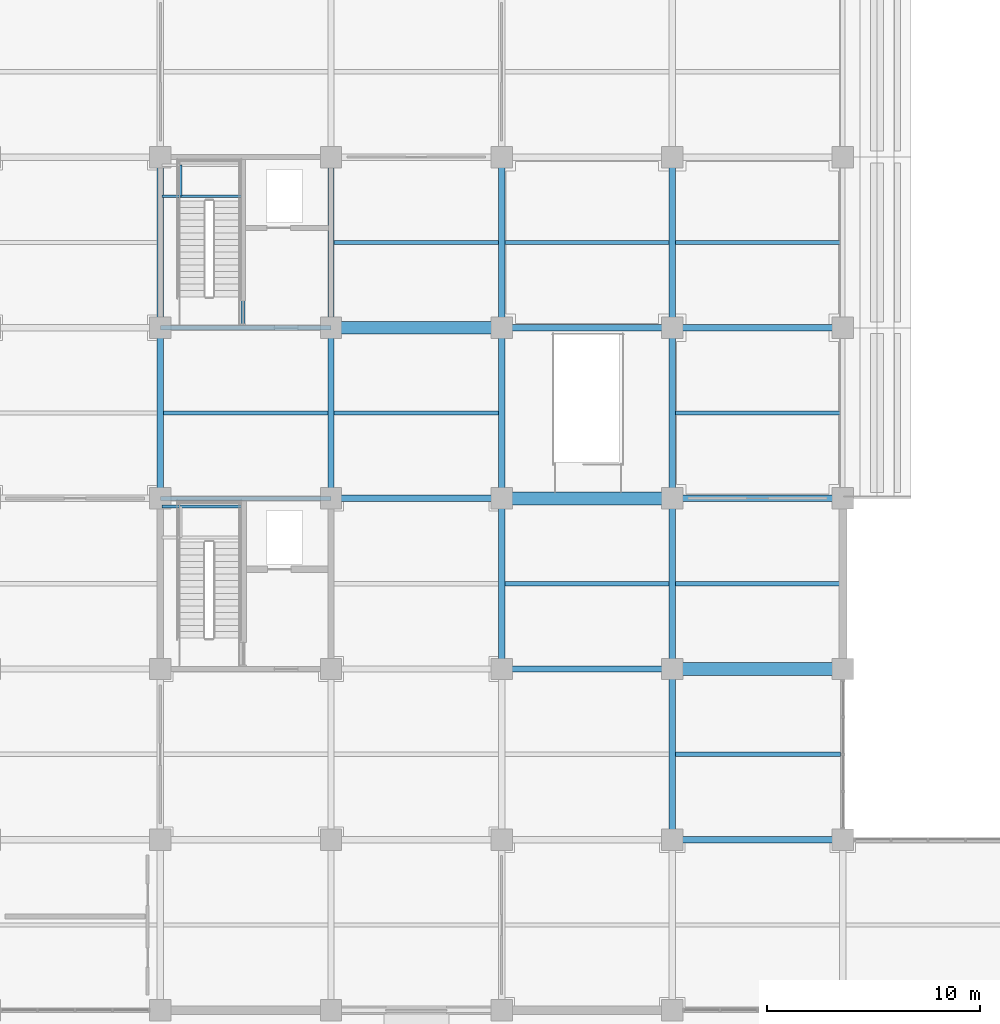
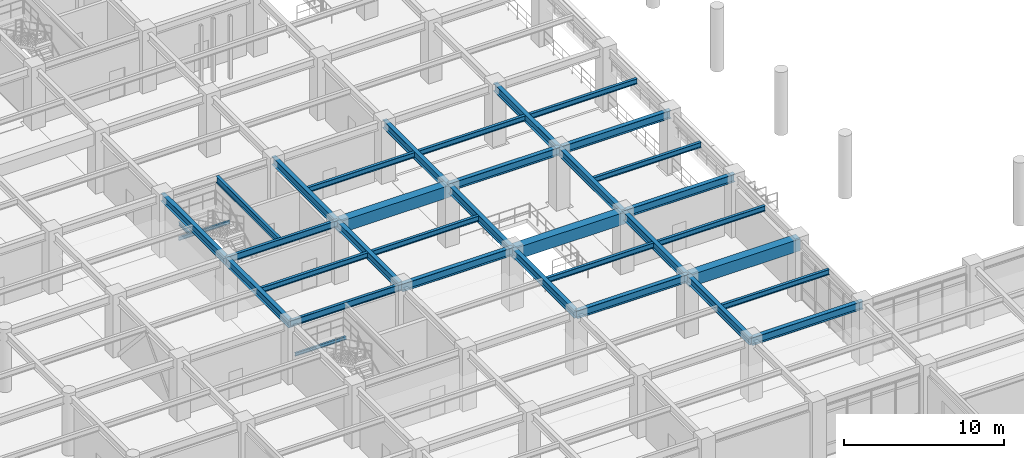
# One storey, part 12 of 117: 35 beams.
"""IFC4 building model written with IfcOpenShell, lengths in metres."""

from ifc_helpers import new_model, si_unit, direction, frame, origin, origin_2d, place, context, subcontext, project, spatial, rectangle, i_section, extrude, material, material_profile, profile_set, type_object, element, save


model = new_model("IFC4")

# Units and contexts
model_context = context("Model", 3, precision=1e-05, world=origin(), true_north=direction((0.0, 1.0)))
body_context = subcontext(model_context, "Body", "Model", "MODEL_VIEW")
ifc_project = project(units=[si_unit("LENGTHUNIT", "METRE"), si_unit("AREAUNIT", "SQUARE_METRE"), si_unit("VOLUMEUNIT", "CUBIC_METRE"), si_unit("PLANEANGLEUNIT", "RADIAN"), si_unit("MASSUNIT", "GRAM", prefix="KILO")], contexts=[model_context])

# Site, building, storey
site_placement = place(None, origin())
site = spatial("IfcSite", under=ifc_project, at=site_placement, CompositionType="ELEMENT")
building_placement = place(site_placement, origin())
building = spatial("IfcBuilding", under=site, at=building_placement, Name="Haebicheon Civic Stadium", CompositionType="ELEMENT")
storey_placement = place(building_placement, frame((0.0, 0.0, 4.800048828125)))
storey = spatial("IfcBuildingStorey", under=building, at=storey_placement, Name="L02", CompositionType="ELEMENT", Elevation=4.800048828125)

# Beams
ifc_material_1 = material(Name="Concrete C40/50", Category="concrete")
ifc_material_profile_1 = material_profile(ifc_material_1, rectangle(XDim=0.60009765625, YDim=0.89990234375, at=origin_2d()), Name="RC-BM-600x900")
ifc_profile_set_1 = profile_set([ifc_material_profile_1], Name="Concrete C40/50")
beam_type_1 = type_object("IfcBeamType", Name="BM-RC-600x900", PredefinedType="BEAM", material=ifc_profile_set_1)
for number, where, z_axis, x_axis, name in (
    (1, (40.0, 56.0, 4.070068359375), (1.0, 0.0, 0.0), (0.0, 1.0, 0.0), "L02 beam H/6-7"),
    (2, (48.0, 48.0, 4.070068359375), (1.0, 0.0, 0.0), (0.0, 1.0, 0.0), "L02 beam G/7-8"),
    (3, (56.0, 40.0, 4.070068359375), (1.0, 0.0, 0.0), (0.0, 1.0, 0.0), "L02 beam F/8-9"),
):
    element("IfcBeam", number, at=place(storey_placement, frame(where, z_axis=z_axis, x_axis=x_axis)), inside=storey, type_object=beam_type_1, material=ifc_profile_set_1, Name=name, PredefinedType="BEAM", context=body_context, shape_type="SweptSolid", body=[
        extrude(rectangle(XDim=0.60009765625, YDim=0.89990234375, at=origin_2d()), origin(), (0.0, 0.0, 1.0), 8.0),
    ])
ifc_material_2 = material(Name="Steel SM355 (S355)", Category="steel")
ifc_material_profile_2 = material_profile(ifc_material_2, i_section(OverallWidth=0.199951171875, OverallDepth=0.5, WebThickness=0.010009765625, FlangeThickness=0.01611328125, at=origin_2d()), Name="H-500x200x10x16")
ifc_profile_set_2 = profile_set([ifc_material_profile_2], Name="Steel SM355 (S355)")
beam_type_2 = type_object("IfcBeamType", Name="BM-ST-H500", PredefinedType="BEAM", material=ifc_profile_set_2)
for number, where, z_axis, x_axis, name in (
    (4, (32.0, 48.0, 4.27001953125), (1.0, 0.0, 0.0), (0.0, 1.0, 0.0), "L02 beam G/5-6"),
    (5, (32.0, 56.0, 4.27001953125), (1.0, 0.0, 0.0), (0.0, 1.0, 0.0), "L02 beam H/5-6"),
):
    element("IfcBeam", number, at=place(storey_placement, frame(where, z_axis=z_axis, x_axis=x_axis)), inside=storey, type_object=beam_type_2, material=ifc_profile_set_2, Name=name, PredefinedType="BEAM", context=body_context, shape_type="SweptSolid", body=[
        extrude(i_section(OverallWidth=0.199951171875, OverallDepth=0.5, WebThickness=0.010009765625, FlangeThickness=0.01611328125, at=origin_2d()), origin(), (0.0, 0.0, 1.0), 8.0),
    ])
beam_1_placement = place(storey_placement, frame((35.8798828125, 56.10009765625, 4.27001953125), z_axis=(0.0, 1.0, 0.0), x_axis=(-1.0, 0.0, 0.0)))
element("IfcBeam", 6, at=beam_1_placement, inside=storey, type_object=beam_type_2, material=ifc_profile_set_2, Name="L02 KC-02 core dividing wall support beam", PredefinedType="BEAM", context=body_context, shape_type="SweptSolid", body=[
    extrude(i_section(OverallWidth=0.199951171875, OverallDepth=0.5, WebThickness=0.010009765625, FlangeThickness=0.01611328125, at=origin_2d()), origin(), (0.0, 0.0, 1.0), 7.7998046875),
])
ifc_material_3 = material(Name="Steel SM355 (S355)", Category="steel")
ifc_material_profile_3 = material_profile(ifc_material_3, i_section(OverallWidth=0.300048828125, OverallDepth=0.60009765625, WebThickness=0.011962890625, FlangeThickness=0.02001953125, at=origin_2d()), Name="H-600x300x12x20")
ifc_profile_set_3 = profile_set([ifc_material_profile_3], Name="Steel SM355 (S355)")
beam_type_3 = type_object("IfcBeamType", Name="BM-ST-H600A", PredefinedType="BEAM", material=ifc_profile_set_3)
for number, where, z_axis, x_axis, name in (
    (7, (32.0, 48.0, 4.219970703125), (0.0, 1.0, 0.0), (-1.0, 0.0, 0.0), "L02 girder 5/G-H"),
    (8, (32.0, 56.0, 4.219970703125), (0.0, 1.0, 0.0), (-1.0, 0.0, 0.0), "L02 girder 5/H-J"),
    (9, (40.0, 48.0, 4.219970703125), (0.0, 1.0, 0.0), (-1.0, 0.0, 0.0), "L02 girder 6/G-H"),
    (10, (40.0, 56.0, 4.219970703125), (0.0, 1.0, 0.0), (-1.0, 0.0, 0.0), "L02 girder 6/H-J"),
    (11, (48.0, 40.0, 4.219970703125), (0.0, 1.0, 0.0), (-1.0, 0.0, 0.0), "L02 girder 7/F-G"),
    (12, (48.0, 48.0, 4.219970703125), (0.0, 1.0, 0.0), (-1.0, 0.0, 0.0), "L02 girder 7/G-H"),
    (13, (48.0, 56.0, 4.219970703125), (0.0, 1.0, 0.0), (-1.0, 0.0, 0.0), "L02 girder 7/H-J"),
    (14, (56.0, 32.0, 4.219970703125), (0.0, 1.0, 0.0), (-1.0, 0.0, 0.0), "L02 girder 8/E-F"),
    (15, (56.0, 40.0, 4.219970703125), (0.0, 1.0, 0.0), (-1.0, 0.0, 0.0), "L02 girder 8/F-G"),
    (16, (56.0, 48.0, 4.219970703125), (0.0, 1.0, 0.0), (-1.0, 0.0, 0.0), "L02 girder 8/G-H"),
    (17, (56.0, 56.0, 4.219970703125), (0.0, 1.0, 0.0), (-1.0, 0.0, 0.0), "L02 girder 8/H-J"),
    (18, (40.0, 48.0, 4.219970703125), (1.0, 0.0, 0.0), (0.0, 1.0, 0.0), "L02 beam G/6-7"),
    (19, (48.0, 40.0, 4.219970703125), (1.0, 0.0, 0.0), (0.0, 1.0, 0.0), "L02 beam F/7-8"),
    (20, (48.0, 56.0, 4.219970703125), (1.0, 0.0, 0.0), (0.0, 1.0, 0.0), "L02 beam H/7-8"),
    (21, (56.0, 32.0, 4.219970703125), (1.0, 0.0, 0.0), (0.0, 1.0, 0.0), "L02 beam E/8-9"),
    (22, (56.0, 48.0, 4.219970703125), (1.0, 0.0, 0.0), (0.0, 1.0, 0.0), "L02 beam G/8-9"),
    (23, (56.0, 56.0, 4.219970703125), (1.0, 0.0, 0.0), (0.0, 1.0, 0.0), "L02 beam H/8-9"),
):
    element("IfcBeam", number, at=place(storey_placement, frame(where, z_axis=z_axis, x_axis=x_axis)), inside=storey, type_object=beam_type_3, material=ifc_profile_set_3, Name=name, PredefinedType="BEAM", context=body_context, shape_type="SweptSolid", body=[
        extrude(i_section(OverallWidth=0.300048828125, OverallDepth=0.60009765625, WebThickness=0.011962890625, FlangeThickness=0.02001953125, at=origin_2d()), origin(), (0.0, 0.0, 1.0), 8.0),
    ])
ifc_material_4 = material(Name="Steel SM355 (S355)", Category="steel")
ifc_material_profile_4 = material_profile(ifc_material_4, i_section(OverallWidth=0.125, OverallDepth=0.25, WebThickness=0.006103515625, FlangeThickness=0.009033203125, at=origin_2d()), Name="H-250x125x6x9")
ifc_profile_set_4 = profile_set([ifc_material_profile_4], Name="Steel SM355 (S355)")
beam_type_4 = type_object("IfcBeamType", Name="JST-ST-H250", PredefinedType="JOIST", material=ifc_profile_set_4)
for number, where, z_axis, x_axis, name in (
    (24, (32.080078125, 47.6201171875, 2.072021484375), (1.0, 0.0, 0.0), (0.0, 1.0, 0.0), "KC-01 L02 stair half-landing rear trimmer beam"),
    (25, (32.080078125, 62.169921875, 2.072021484375), (1.0, 0.0, 0.0), (0.0, 1.0, 0.0), "KC-02 L02 stair half-landing front trimmer beam"),
):
    element("IfcBeam", number, at=place(storey_placement, frame(where, z_axis=z_axis, x_axis=x_axis)), inside=storey, type_object=beam_type_4, material=ifc_profile_set_4, Name=name, PredefinedType="JOIST", context=body_context, shape_type="SweptSolid", body=[
        extrude(i_section(OverallWidth=0.125, OverallDepth=0.25, WebThickness=0.006103515625, FlangeThickness=0.009033203125, at=origin_2d()), origin(), (0.0, 0.0, 1.0), 3.719970703125),
    ])
beam_2_placement = place(storey_placement, frame((32.9599609375, 62.169921875, 2.072021484375), z_axis=(0.0, 1.0, 0.0), x_axis=(-1.0, 0.0, 0.0)))
element("IfcBeam", 26, at=beam_2_placement, inside=storey, type_object=beam_type_4, material=ifc_profile_set_4, Name="KC-02 L02 stair half-landing transverse tie beam", PredefinedType="JOIST", context=body_context, shape_type="SweptSolid", body=[
    extrude(i_section(OverallWidth=0.125, OverallDepth=0.25, WebThickness=0.006103515625, FlangeThickness=0.009033203125, at=origin_2d()), origin(), (0.0, 0.0, 1.0), 1.4501953125),
])
ifc_material_5 = material(Name="Steel SM355 (S355)", Category="steel")
ifc_material_profile_5 = material_profile(ifc_material_5, i_section(OverallWidth=0.199951171875, OverallDepth=0.39990234375, WebThickness=0.008056640625, FlangeThickness=0.012939453125, at=origin_2d()), Name="H-400x200x8x13")
ifc_profile_set_5 = profile_set([ifc_material_profile_5], Name="Steel SM355 (S355)")
beam_type_5 = type_object("IfcBeamType", Name="JST-ST-H400", PredefinedType="JOIST", material=ifc_profile_set_5)
for number, where, z_axis, x_axis, name in (
    (27, (32.14990234375, 52.0, 4.320068359375), (1.0, 0.0, 0.0), (0.0, 1.0, 0.0), "L02 secondary joist 04-06"),
    (28, (40.14990234375, 52.0, 4.320068359375), (1.0, 0.0, 0.0), (0.0, 1.0, 0.0), "L02 secondary joist 05-06"),
    (29, (40.14990234375, 60.0, 4.320068359375), (1.0, 0.0, 0.0), (0.0, 1.0, 0.0), "L02 secondary joist 05-07"),
    (30, (48.14990234375, 44.0, 4.320068359375), (1.0, 0.0, 0.0), (0.0, 1.0, 0.0), "L02 secondary joist 06-05"),
    (31, (48.14990234375, 60.0, 4.320068359375), (1.0, 0.0, 0.0), (0.0, 1.0, 0.0), "L02 secondary joist 06-07"),
):
    element("IfcBeam", number, at=place(storey_placement, frame(where, z_axis=z_axis, x_axis=x_axis)), inside=storey, type_object=beam_type_5, material=ifc_profile_set_5, Name=name, PredefinedType="JOIST", context=body_context, shape_type="SweptSolid", body=[
        extrude(i_section(OverallWidth=0.199951171875, OverallDepth=0.39990234375, WebThickness=0.008056640625, FlangeThickness=0.012939453125, at=origin_2d()), origin(), (0.0, 0.0, 1.0), 7.7001953125),
    ])
for number, where, z_axis, x_axis, name in (
    (32, (56.14990234375, 36.0, 4.320068359375), (1.0, 0.0, 0.0), (0.0, 1.0, 0.0), "L02 secondary joist 07-04"),
    (33, (56.14990234375, 44.0, 4.320068359375), (1.0, 0.0, 0.0), (0.0, 1.0, 0.0), "L02 secondary joist 07-05"),
    (34, (56.14990234375, 52.0, 4.320068359375), (1.0, 0.0, 0.0), (0.0, 1.0, 0.0), "L02 secondary joist 07-06"),
    (35, (56.14990234375, 60.0, 4.320068359375), (1.0, 0.0, 0.0), (0.0, 1.0, 0.0), "L02 secondary joist 07-07"),
):
    element("IfcBeam", number, at=place(storey_placement, frame(where, z_axis=z_axis, x_axis=x_axis)), inside=storey, type_object=beam_type_5, material=ifc_profile_set_5, Name=name, PredefinedType="JOIST", context=body_context, shape_type="SweptSolid", body=[
        extrude(i_section(OverallWidth=0.199951171875, OverallDepth=0.39990234375, WebThickness=0.008056640625, FlangeThickness=0.012939453125, at=origin_2d()), origin(), (0.0, 0.0, 1.0), 7.75),
    ])

save(model, "model.ifc")
